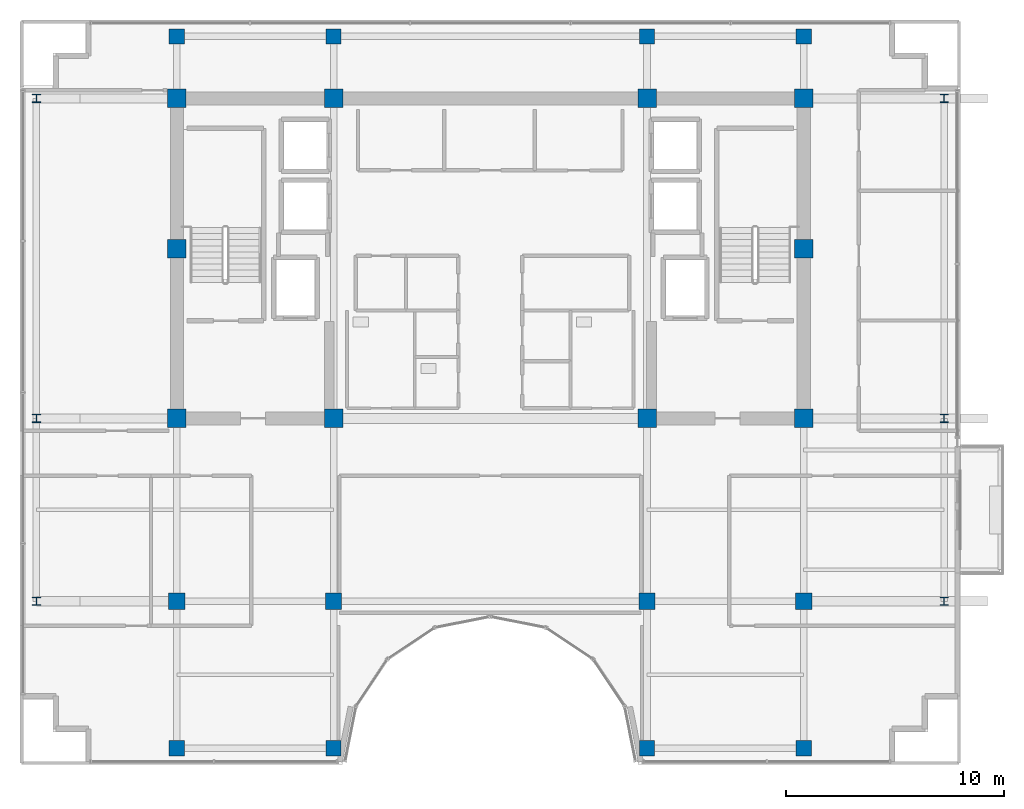
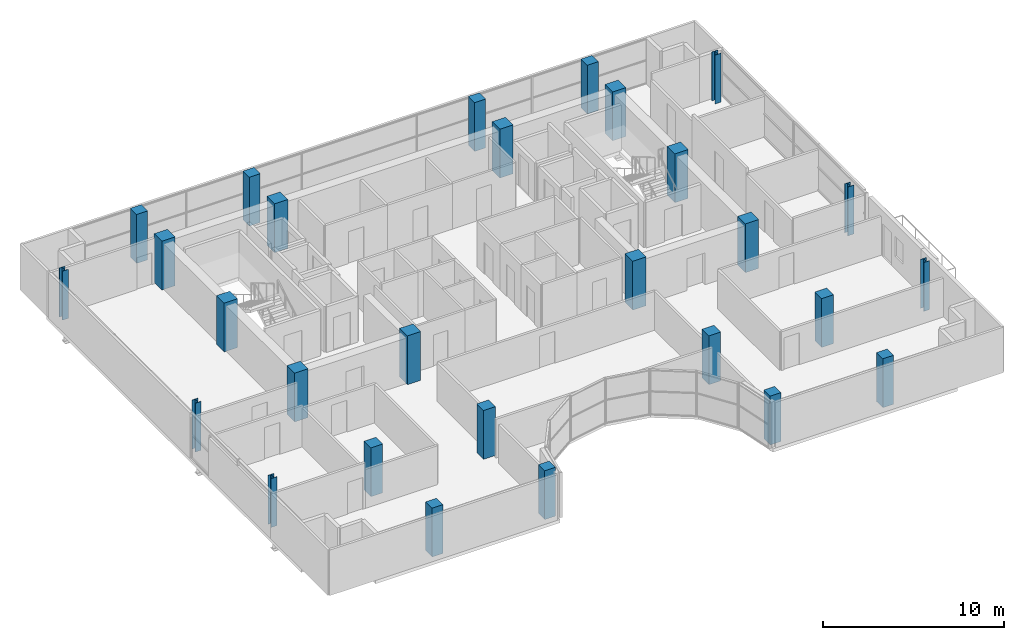
# One storey, part 1 of 29: 28 columns.
"""IFC4 building model written with IfcOpenShell, lengths in metres."""

from ifc_helpers import new_model, si_unit, direction, frame, origin, origin_2d, place, context, subcontext, project, spatial, rectangle, i_section, extrude, material, material_profile, profile_set, type_object, element, save


model = new_model("IFC4")

# Units and contexts
model_context = context("Model", 3, precision=1e-05, world=origin(), true_north=direction((0.0, 1.0)))
body_context = subcontext(model_context, "Body", "Model", "MODEL_VIEW")
ifc_project = project(units=[si_unit("LENGTHUNIT", "METRE"), si_unit("AREAUNIT", "SQUARE_METRE"), si_unit("VOLUMEUNIT", "CUBIC_METRE"), si_unit("PLANEANGLEUNIT", "RADIAN"), si_unit("MASSUNIT", "GRAM", prefix="KILO")], contexts=[model_context])

# Site, building, storey
site_placement = place(None, origin())
site = spatial("IfcSite", under=ifc_project, at=site_placement, CompositionType="ELEMENT")
building_placement = place(site_placement, origin())
building = spatial("IfcBuilding", under=site, at=building_placement, Name="Zarnakvel Exchange Tower", CompositionType="ELEMENT")
storey_placement = place(building_placement, frame((0.0, 0.0, 258.39990234375)))
storey = spatial("IfcBuildingStorey", under=building, at=storey_placement, Name="L73", CompositionType="ELEMENT", Elevation=258.39990234375)

# Columns
ifc_material_1 = material(Name="Concrete C50/60", Category="concrete")
ifc_material_profile_1 = material_profile(ifc_material_1, rectangle(XDim=0.85009765625, YDim=0.85009765625, at=origin_2d()))
ifc_profile_set_1 = profile_set([ifc_material_profile_1], Name="Concrete C50/60")
column_type_1 = type_object("IfcColumnType", Name="CC-03", PredefinedType="COLUMN", material=ifc_profile_set_1)
for number, where, z_axis, x_axis, name in (
    (1, (-14.39990234375, -1.199951171875, 0.0), (0.0, 0.0, 1.0), (1.0, 0.0, 0.0), "L73 Column C-4D (CC-03)"),
    (2, (-7.199951171875, -1.199951171875, 0.0), (0.0, 0.0, 1.0), (1.0, 0.0, 0.0), "L73 Column C-5D (CC-03)"),
    (3, (7.199951171875, -1.199951171875, 0.0), (0.0, 0.0, 1.0), (1.0, 0.0, 0.0), "L73 Column C-8D (CC-03)"),
    (4, (14.39990234375, -1.199951171875, 0.0), (0.0, 0.0, 1.0), (1.0, 0.0, 0.0), "L73 Column C-9D (CC-03)"),
    (5, (-14.39990234375, 6.60009765625, 0.0), (0.0, 0.0, 1.0), (1.0, 0.0, 0.0), "L73 Column C-4E (CC-03)"),
    (6, (14.39990234375, 6.60009765625, 0.0), (0.0, 0.0, 1.0), (1.0, 0.0, 0.0), "L73 Column C-9E (CC-03)"),
    (7, (-14.39990234375, 13.5, 0.0), (0.0, 0.0, 1.0), (1.0, 0.0, 0.0), "L73 Column C-4F (CC-03)"),
    (8, (-7.199951171875, 13.5, 0.0), (0.0, 0.0, 1.0), (1.0, 0.0, 0.0), "L73 Column C-5F (CC-03)"),
    (9, (7.199951171875, 13.5, 0.0), (0.0, 0.0, 1.0), (1.0, 0.0, 0.0), "L73 Column C-8F (CC-03)"),
    (10, (14.39990234375, 13.5, 0.0), (0.0, 0.0, 1.0), (1.0, 0.0, 0.0), "L73 Column C-9F (CC-03)"),
):
    element("IfcColumn", number, at=place(storey_placement, frame(where, z_axis=z_axis, x_axis=x_axis)), inside=storey, type_object=column_type_1, Name=name, PredefinedType="COLUMN", context=body_context, shape_type="SweptSolid", body=[
        extrude(rectangle(XDim=0.85009765625, YDim=0.85009765625, at=origin_2d()), origin(), (0.0, 0.0, 1.0), 3.300048828125),
    ])
ifc_material_2 = material(Name="Steel S355", Category="steel")
ifc_material_profile_2 = material_profile(ifc_material_2, i_section(OverallWidth=0.374755859375, OverallDepth=0.37451171875, WebThickness=0.0166015625, FlangeThickness=0.027099609375, FilletRadius=0.01513671875, at=origin_2d()))
ifc_profile_set_2 = profile_set([ifc_material_profile_2], Name="Steel S355")
column_type_2 = type_object("IfcColumnType", Name="SC-05", PredefinedType="COLUMN", material=ifc_profile_set_2)
for number, where, z_axis, x_axis, name in (
    (11, (-20.85009765625, -9.60009765625, 0.0), (0.0, 0.0, 1.0), (1.0, 0.0, 0.0), "L73 Column TW-C (SC-05)"),
    (12, (20.85009765625, -9.60009765625, 0.0), (0.0, 0.0, 1.0), (1.0, 0.0, 0.0), "L73 Column TE-C (SC-05)"),
    (13, (-20.85009765625, -1.199951171875, 0.0), (0.0, 0.0, 1.0), (1.0, 0.0, 0.0), "L73 Column TW-D (SC-05)"),
    (14, (20.85009765625, -1.199951171875, 0.0), (0.0, 0.0, 1.0), (1.0, 0.0, 0.0), "L73 Column TE-D (SC-05)"),
    (15, (-20.85009765625, 13.5, 0.0), (0.0, 0.0, 1.0), (1.0, 0.0, 0.0), "L73 Column TW-F (SC-05)"),
    (16, (20.85009765625, 13.5, 0.0), (0.0, 0.0, 1.0), (1.0, 0.0, 0.0), "L73 Column TE-F (SC-05)"),
):
    element("IfcColumn", number, at=place(storey_placement, frame(where, z_axis=z_axis, x_axis=x_axis)), inside=storey, type_object=column_type_2, Name=name, PredefinedType="COLUMN", context=body_context, shape_type="SweptSolid", body=[
        extrude(i_section(OverallWidth=0.374755859375, OverallDepth=0.37451171875, WebThickness=0.0166015625, FlangeThickness=0.027099609375, FilletRadius=0.01513671875, at=origin_2d()), origin(), (0.0, 0.0, 1.0), 3.300048828125),
    ])
ifc_material_profile_3 = material_profile(ifc_material_1, rectangle(XDim=0.75, YDim=0.75, at=origin_2d()))
ifc_profile_set_3 = profile_set([ifc_material_profile_3], Name="Concrete C50/60")
column_type_3 = type_object("IfcColumnType", Name="TC-04", PredefinedType="COLUMN", material=ifc_profile_set_3)
for number, where, z_axis, x_axis, name in (
    (17, (-14.39990234375, -9.60009765625, 0.0), (0.0, 0.0, 1.0), (1.0, 0.0, 0.0), "L73 Column T-4C (TC-04)"),
    (18, (-7.199951171875, -9.60009765625, 0.0), (0.0, 0.0, 1.0), (1.0, 0.0, 0.0), "L73 Column T-5C (TC-04)"),
    (19, (7.199951171875, -9.60009765625, 0.0), (0.0, 0.0, 1.0), (1.0, 0.0, 0.0), "L73 Column T-8C (TC-04)"),
    (20, (14.39990234375, -9.60009765625, 0.0), (0.0, 0.0, 1.0), (1.0, 0.0, 0.0), "L73 Column T-9C (TC-04)"),
):
    element("IfcColumn", number, at=place(storey_placement, frame(where, z_axis=z_axis, x_axis=x_axis)), inside=storey, type_object=column_type_3, Name=name, PredefinedType="COLUMN", context=body_context, shape_type="SweptSolid", body=[
        extrude(rectangle(XDim=0.75, YDim=0.75, at=origin_2d()), origin(), (0.0, 0.0, 1.0), 3.300048828125),
    ])
ifc_material_profile_4 = material_profile(ifc_material_1, rectangle(XDim=0.699951171875, YDim=0.699951171875, at=origin_2d()))
ifc_profile_set_4 = profile_set([ifc_material_profile_4], Name="Concrete C50/60")
column_type_4 = type_object("IfcColumnType", Name="TC-05", PredefinedType="COLUMN", material=ifc_profile_set_4)
for number, where, z_axis, x_axis, name in (
    (21, (-14.39990234375, -16.35009765625, 0.0), (0.0, 0.0, 1.0), (1.0, 0.0, 0.0), "L73 Column TS-4 (TC-05)"),
    (22, (-14.39990234375, 16.35009765625, 0.0), (0.0, 0.0, 1.0), (1.0, 0.0, 0.0), "L73 Column TN-4 (TC-05)"),
    (23, (-7.199951171875, -16.35009765625, 0.0), (0.0, 0.0, 1.0), (1.0, 0.0, 0.0), "L73 Column TS-5 (TC-05)"),
    (24, (-7.199951171875, 16.35009765625, 0.0), (0.0, 0.0, 1.0), (1.0, 0.0, 0.0), "L73 Column TN-5 (TC-05)"),
    (25, (7.199951171875, -16.35009765625, 0.0), (0.0, 0.0, 1.0), (1.0, 0.0, 0.0), "L73 Column TS-8 (TC-05)"),
    (26, (7.199951171875, 16.35009765625, 0.0), (0.0, 0.0, 1.0), (1.0, 0.0, 0.0), "L73 Column TN-8 (TC-05)"),
    (27, (14.39990234375, -16.35009765625, 0.0), (0.0, 0.0, 1.0), (1.0, 0.0, 0.0), "L73 Column TS-9 (TC-05)"),
    (28, (14.39990234375, 16.35009765625, 0.0), (0.0, 0.0, 1.0), (1.0, 0.0, 0.0), "L73 Column TN-9 (TC-05)"),
):
    element("IfcColumn", number, at=place(storey_placement, frame(where, z_axis=z_axis, x_axis=x_axis)), inside=storey, type_object=column_type_4, Name=name, PredefinedType="COLUMN", context=body_context, shape_type="SweptSolid", body=[
        extrude(rectangle(XDim=0.699951171875, YDim=0.699951171875, at=origin_2d()), origin(), (0.0, 0.0, 1.0), 3.300048828125),
    ])

save(model, "model.ifc")
